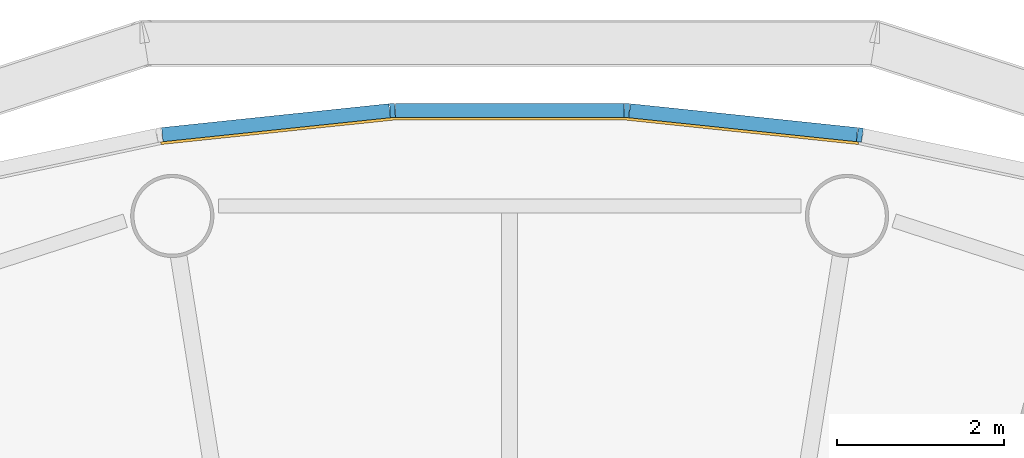
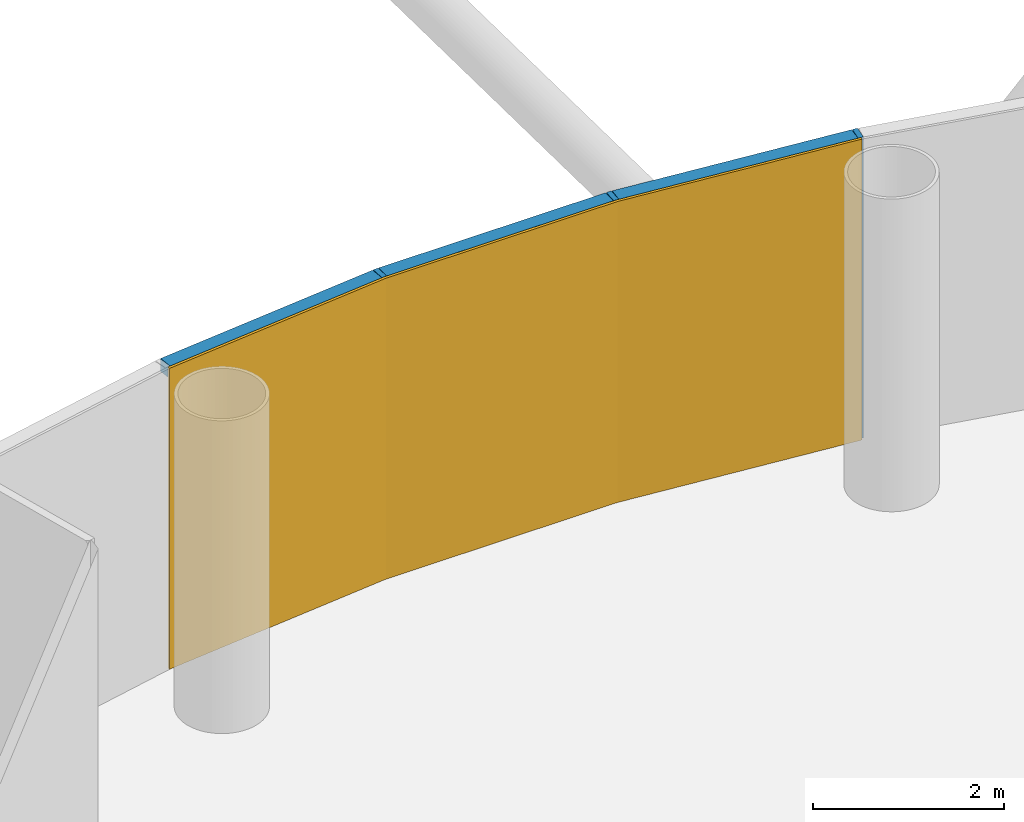
# One storey, part 10 of 12: 6 members, 1 curtain wall.
"""IFC4 building model written with IfcOpenShell, lengths in metres."""

from ifc_helpers import new_model, si_unit, direction, frame, origin, origin_2d, place, context, subcontext, project, spatial, polyline, rectangle, outline, extrude, material, layer, layer_set, material_profile, profile_set, type_object, element, aggregate, save


model = new_model("IFC4")

# Units and contexts
model_context = context("Model", 3, precision=1e-05, world=origin(), true_north=direction((0.0, 1.0)))
body_context = subcontext(model_context, "Body", "Model", "MODEL_VIEW")
ifc_project = project(units=[si_unit("LENGTHUNIT", "METRE"), si_unit("AREAUNIT", "SQUARE_METRE"), si_unit("VOLUMEUNIT", "CUBIC_METRE"), si_unit("PLANEANGLEUNIT", "RADIAN"), si_unit("MASSUNIT", "GRAM", prefix="KILO")], contexts=[model_context])

# Member
ifc_material_1 = material(Name="Anodised aluminium", Category="aluminium")
ifc_material_profile_1 = material_profile(ifc_material_1, rectangle(XDim=0.06005859375, YDim=0.169921875, at=origin_2d()), Name="Mullion 60 x 170 mm anodised aluminium")
ifc_profile_set_1 = profile_set([ifc_material_profile_1], Name="Anodised aluminium")
member_type_1 = type_object("IfcMemberType", Name="Mullion 60 x 170 mm anodised aluminium", PredefinedType="MULLION", material=ifc_profile_set_1)
site_placement = place(None, origin())
building_placement = place(site_placement, origin())
storey_placement = place(building_placement, frame((0.0, 0.0, 206.0)))
member_1_placement = place(storey_placement, frame((94.205810546875, 106.553955078125, 0.0), z_axis=(0.0, 0.0, 1.0), x_axis=(-0.987688340595, 0.15643446504, 0.0)))
member_1 = element("IfcMember", 1, at=member_1_placement, type_object=member_type_1, Name="MULLION L47-12", PredefinedType="MULLION", context=body_context, shape_type="SweptSolid", body=[
    extrude(rectangle(XDim=0.06005859375, YDim=0.169921875, at=origin_2d()), origin(), (0.0, 0.0, 1.0), 3.85009765625),
])

member_2_placement = place(storey_placement, frame((91.406982421875, 106.84814453125, 0.0), z_axis=(0.0, 0.0, 1.0), x_axis=(-0.998629534755, 0.052335956243, 0.0)))
member_2 = element("IfcMember", 2, at=member_2_placement, type_object=member_type_1, Name="MULLION L47-13", PredefinedType="MULLION", context=body_context, shape_type="SweptSolid", body=[
    extrude(rectangle(XDim=0.06005859375, YDim=0.169921875, at=origin_2d()), origin(), (0.0, 0.0, 1.0), 3.85009765625),
])

member_3_placement = place(storey_placement, frame((88.593017578125, 106.84814453125, 0.0), z_axis=(0.0, 0.0, 1.0), x_axis=(-0.998629534755, -0.052335956243, 0.0)))
member_3 = element("IfcMember", 3, at=member_3_placement, type_object=member_type_1, Name="MULLION L47-14", PredefinedType="MULLION", context=body_context, shape_type="SweptSolid", body=[
    extrude(rectangle(XDim=0.06005859375, YDim=0.169921875, at=origin_2d()), origin(), (0.0, 0.0, 1.0), 3.85009765625),
])

ifc_material_2 = material(Name="Anodised aluminium", Category="aluminium")
ifc_material_profile_2 = material_profile(ifc_material_2, rectangle(XDim=0.169921875, YDim=0.1650390625, at=origin_2d()), Name="Transom 165 x 170 mm anodised aluminium")
ifc_profile_set_2 = profile_set([ifc_material_profile_2], Name="Anodised aluminium")
member_type_2 = type_object("IfcMemberType", Name="Transom 165 x 170 mm anodised aluminium", PredefinedType="USERDEFINED", material=ifc_profile_set_2)
member_4_placement = place(storey_placement, frame((94.17138671875, 106.5576171875, 3.767578125), z_axis=(-0.994515195344, 0.104592190102, 0.0), x_axis=(-0.104592190102, -0.994515195344, 0.0)))
member_4 = element("IfcMember", 4, at=member_4_placement, type_object=member_type_2, Name="TRANSOM L47-12", ObjectType="TRANSOM", PredefinedType="USERDEFINED", context=body_context, shape_type="SweptSolid", body=[
    extrude(rectangle(XDim=0.169921875, YDim=0.1650390625, at=origin_2d()), origin(), (0.0, 0.0, 1.0), 2.7451171875),
])

member_5_placement = place(storey_placement, frame((91.37255859375, 106.848388671875, 3.767578125), z_axis=(-1.0, 0.0, 0.0), x_axis=(0.0, -1.0, 0.0)))
member_5 = element("IfcMember", 5, at=member_5_placement, type_object=member_type_2, Name="TRANSOM L47-13", ObjectType="TRANSOM", PredefinedType="USERDEFINED", context=body_context, shape_type="SweptSolid", body=[
    extrude(rectangle(XDim=0.169921875, YDim=0.1650390625, at=origin_2d()), origin(), (0.0, 0.0, 1.0), 2.7451171875),
])

member_6_placement = place(storey_placement, frame((88.55859375, 106.8447265625, 3.767578125), z_axis=(-0.994515195344, -0.104592190102, 0.0), x_axis=(0.104592190102, -0.994515195344, 0.0)))
member_6 = element("IfcMember", 6, at=member_6_placement, type_object=member_type_2, Name="TRANSOM L47-14", ObjectType="TRANSOM", PredefinedType="USERDEFINED", context=body_context, shape_type="SweptSolid", body=[
    extrude(rectangle(XDim=0.169921875, YDim=0.1650390625, at=origin_2d()), origin(), (0.0, 0.0, 1.0), 2.7451171875),
])

# Site, building, storey
site = spatial("IfcSite", under=ifc_project, at=site_placement, CompositionType="ELEMENT")
building = spatial("IfcBuilding", under=site, at=building_placement, Name="Entoto Ring Tower", CompositionType="ELEMENT")
storey = spatial("IfcBuildingStorey", under=building, at=storey_placement, Name="L47", CompositionType="ELEMENT", Elevation=206.0)

# Curtain wall
ifc_material_3 = material(Name="Clear low-iron glass", Category="glass")
ifc_layer = layer(ifc_material_3, 0.031982421875)
ifc_layer_set = layer_set([ifc_layer], Name="Clear low-iron glass")
curtain_wall_type = type_object("IfcCurtainWallType", Name="Curtain wall system CW4 glazing 32 mm", PredefinedType="NOTDEFINED", material=ifc_layer_set)
curtain_wall_placement = place(storey_placement, origin())
curtain_wall = element("IfcCurtainWall", 7, at=curtain_wall_placement, inside=storey, type_object=curtain_wall_type, Name="CW4 L47-05", PredefinedType="NOTDEFINED", context=body_context, shape_type="SweptSolid", body=[
    extrude(outline(polyline([(94.1923828125, 106.469970703125), (91.402587890625, 106.76318359375), (88.597412109375, 106.76318359375), (85.8076171875, 106.469970703125), (85.8125, 106.4384765625), (88.59912109375, 106.731201171875), (91.40087890625, 106.731201171875), (94.1875, 106.4384765625), (94.1923828125, 106.469970703125)])), origin(), (0.0, 0.0, 1.0), 3.85009765625),
])

aggregate(curtain_wall, [member_1, member_2, member_3, member_4, member_5, member_6])

save(model, "model.ifc")
